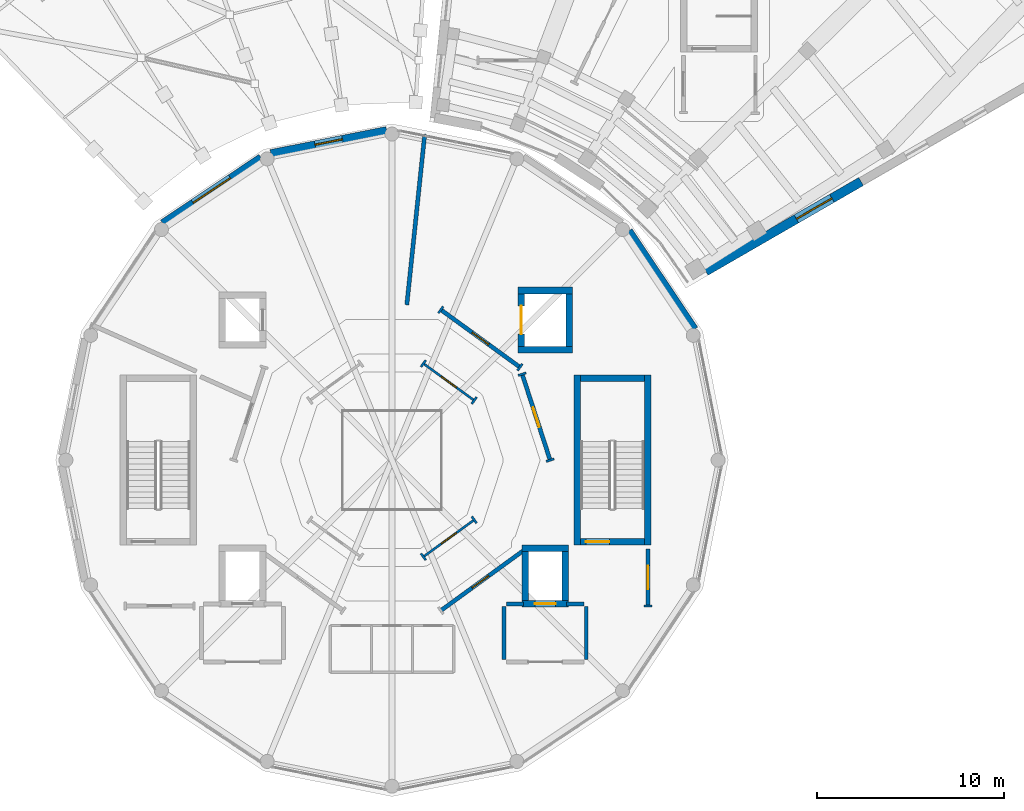
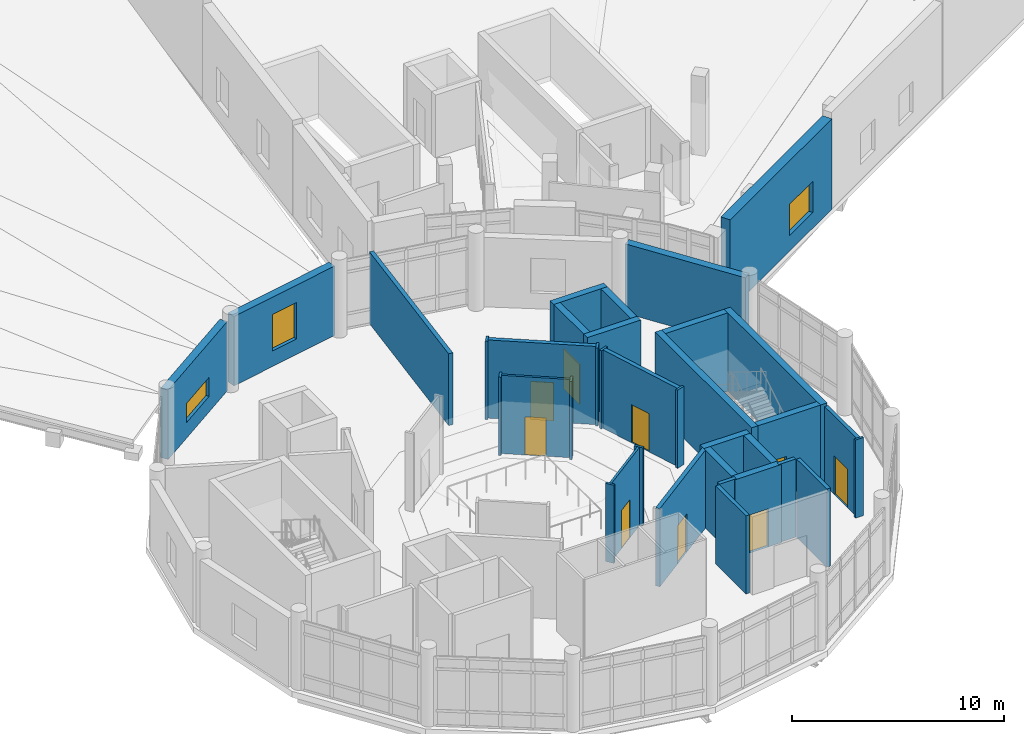
# One storey, part 22 of 27: 36 walls, 9 doors, 3 windows, 12 openings.
"""IFC4 building model written with IfcOpenShell, lengths in metres."""

from ifc_helpers import new_model, si_unit, direction, frame, frame_2d, origin, place, context, subcontext, project, spatial, rectangle, extrude, material, layer, layer_set, type_object, element, fill, save


model = new_model("IFC4")

# Units and contexts
model_context = context("Model", 3, precision=1e-05, world=origin(), true_north=direction((0.0, 1.0)))
body_context = subcontext(model_context, "Body", "Model", "MODEL_VIEW")
ifc_project = project(units=[si_unit("LENGTHUNIT", "METRE"), si_unit("AREAUNIT", "SQUARE_METRE"), si_unit("VOLUMEUNIT", "CUBIC_METRE"), si_unit("PLANEANGLEUNIT", "RADIAN"), si_unit("MASSUNIT", "GRAM", prefix="KILO")], contexts=[model_context])

# Site, building, storey
site_placement = place(None, origin())
site = spatial("IfcSite", under=ifc_project, at=site_placement, CompositionType="ELEMENT")
building_placement = place(site_placement, origin())
building = spatial("IfcBuilding", under=site, at=building_placement, Name="Soyqirgoq Riverine Aquarium", CompositionType="ELEMENT")
storey_placement = place(building_placement, frame((0.0, 0.0, 19.800048828125)))
storey = spatial("IfcBuildingStorey", under=building, at=storey_placement, Name="L05", CompositionType="ELEMENT", Elevation=19.800048828125)

# Walls
ifc_material_1 = material(Name="Concrete C40/50", Category="concrete")
ifc_layer_1 = layer(ifc_material_1, 0.35009765625)
ifc_layer_set_1 = layer_set([ifc_layer_1], Name="Concrete C40/50")
wall_type_1 = type_object("IfcWallType", Name="CoreShearWall_350_C40", PredefinedType="SHEAR", material=ifc_layer_set_1)
wall_1_placement = place(storey_placement, frame((69.675048828125, 52.449951171875, 0.0), z_axis=(0.0, 0.0, 1.0), x_axis=(0.0, 1.0, 0.0)))
element("IfcWall", 1, at=wall_1_placement, inside=storey, type_object=wall_type_1, Name="CORE-1 L05 Stair Core Shear Wall SIDE1", PredefinedType="SHEAR", context=body_context, shape_type="SweptSolid", body=[
    extrude(rectangle(XDim=9.10009765625, YDim=0.35009765625, at=frame_2d((4.550048828125, 0.0))), origin(), (0.0, 0.0, 1.0), 4.5),
])
wall_2_placement = place(storey_placement, frame((69.5, 61.375, 0.0), z_axis=(0.0, 0.0, 1.0), x_axis=(-1.0, 0.0, 0.0)))
element("IfcWall", 2, at=wall_2_placement, inside=storey, type_object=wall_type_1, Name="CORE-1 L05 Stair Core Shear Wall BACK", PredefinedType="SHEAR", context=body_context, shape_type="SweptSolid", body=[
    extrude(rectangle(XDim=3.39990234375, YDim=0.35009765625, at=frame_2d((1.699951171875, 0.0))), origin(), (0.0, 0.0, 1.0), 4.5),
])
wall_3_placement = place(storey_placement, frame((65.925048828125, 61.550048828125, 0.0), z_axis=(0.0, 0.0, 1.0), x_axis=(0.0, -1.0, 0.0)))
element("IfcWall", 3, at=wall_3_placement, inside=storey, type_object=wall_type_1, Name="CORE-1 L05 Stair Core Shear Wall SIDE2", PredefinedType="SHEAR", context=body_context, shape_type="SweptSolid", body=[
    extrude(rectangle(XDim=9.10009765625, YDim=0.35009765625, at=frame_2d((4.550048828125, 0.0))), origin(), (0.0, 0.0, 1.0), 4.5),
])

# Wall, opening, door
wall_4_placement = place(storey_placement, frame((66.10009765625, 52.625, 0.0), z_axis=(0.0, 0.0, 1.0), x_axis=(1.0, 0.0, 0.0)))
wall_4 = element("IfcWall", 4, at=wall_4_placement, inside=storey, type_object=wall_type_1, Name="CORE-1 L05 Stair Core Shear Wall FRONT", PredefinedType="SHEAR", context=body_context, shape_type="SweptSolid", body=[
    extrude(rectangle(XDim=3.39990234375, YDim=0.35009765625, at=frame_2d((1.699951171875, 0.0))), origin(), (0.0, 0.0, 1.0), 4.5),
])
opening_1_placement = place(wall_4_placement, frame((0.280029296875, 0.0, 0.0)))
opening_1 = element("IfcOpeningElement", 5, at=opening_1_placement, cuts=wall_4, Name="Opening FD-01", PredefinedType="OPENING", context=body_context, shape_type="SweptSolid", body=[
    extrude(rectangle(XDim=1.25, YDim=2.199951171875, at=frame_2d((0.625, 1.10009765625))), frame((0.0, 0.18505859375, 0.0), z_axis=(0.0, -1.0, 0.0), x_axis=(1.0, 0.0, 0.0)), (0.0, 0.0, 1.0), 0.3701171875),
])
ifc_material_2 = material(Name="Galvanised steel fire-resisting stair door", Category="steel")
door_type_1 = type_object("IfcDoorType", Name="StairFireDoor_1250x2200_EI90", OperationType="NOTDEFINED", PredefinedType="DOOR", material=ifc_material_2)
door_1_placement = place(opening_1_placement, origin())
door_1 = element("IfcDoor", 6, at=door_1_placement, inside=storey, type_object=door_type_1, Name="DR-ST-1-L05 ST-1 L05 Fire-Rated Stairwell Door", OperationType="SINGLE_SWING_RIGHT", OverallHeight=2.199951171875, OverallWidth=1.25, PredefinedType="DOOR", context=body_context, shape_type="SweptSolid", body=[
    extrude(rectangle(XDim=1.25, YDim=2.199951171875, at=frame_2d((0.625, 1.10009765625))), frame((0.0, 0.02490234375, 0.0), z_axis=(0.0, -1.0, 0.0), x_axis=(1.0, 0.0, 0.0)), (0.0, 0.0, 1.0), 0.050048828125),
])
fill(opening_1, door_1)

wall_5_placement = place(storey_placement, frame((62.945068359375, 49.320068359375, 0.0), z_axis=(0.0, 0.0, 1.0), x_axis=(1.0, 0.0, 0.0)))
wall_5 = element("IfcWall", 7, at=wall_5_placement, inside=storey, type_object=wall_type_1, Name="Lift FFL-1 Shaft Wall L05 1", PredefinedType="SHEAR", context=body_context, shape_type="SweptSolid", body=[
    extrude(rectangle(XDim=2.510009765625, YDim=0.35009765625, at=frame_2d((1.2548828125, 0.0))), origin(), (0.0, 0.0, 1.0), 4.5),
])
opening_2_placement = place(wall_5_placement, frame((0.705078125, 0.0, 0.0)))
opening_2 = element("IfcOpeningElement", 8, at=opening_2_placement, cuts=wall_5, Name="Opening LD-01", PredefinedType="OPENING", context=body_context, shape_type="SweptSolid", body=[
    extrude(rectangle(XDim=1.10009765625, YDim=2.199951171875, at=frame_2d((0.550048828125, 1.10009765625))), frame((0.0, 0.18505859375, 0.0), z_axis=(0.0, -1.0, 0.0), x_axis=(1.0, 0.0, 0.0)), (0.0, 0.0, 1.0), 0.3701171875),
])
ifc_material_3 = material(Name="Brushed stainless steel telescopic lift landing door", Category="steel")
door_type_2 = type_object("IfcDoorType", Name="LiftLandingDoor_1100x2200", OperationType="SLIDING_TO_LEFT", PredefinedType="DOOR", material=ifc_material_3)
door_2_placement = place(opening_2_placement, origin())
door_2 = element("IfcDoor", 9, at=door_2_placement, inside=storey, type_object=door_type_2, Name="LD-FFL-1-L05 Lift FFL-1 L05 Sliding Landing Door", OperationType="SLIDING_TO_LEFT", OverallHeight=2.199951171875, OverallWidth=1.10009765625, PredefinedType="DOOR", context=body_context, shape_type="SweptSolid", body=[
    extrude(rectangle(XDim=1.10009765625, YDim=2.199951171875, at=frame_2d((0.550048828125, 1.10009765625))), frame((0.0, 0.02490234375, 0.0), z_axis=(0.0, -1.0, 0.0), x_axis=(1.0, 0.0, 0.0)), (0.0, 0.0, 1.0), 0.050048828125),
])
fill(opening_2, door_2)

# Walls
wall_6_placement = place(storey_placement, frame((65.280029296875, 49.4951171875, 0.0), z_axis=(0.0, 0.0, 1.0), x_axis=(0.0, 1.0, 0.0)))
element("IfcWall", 10, at=wall_6_placement, inside=storey, type_object=wall_type_1, Name="Lift FFL-1 Shaft Wall L05 2", PredefinedType="SHEAR", context=body_context, shape_type="SweptSolid", body=[
    extrude(rectangle(XDim=2.60986328125, YDim=0.35009765625, at=frame_2d((1.304931640625, 0.0))), origin(), (0.0, 0.0, 1.0), 4.5),
])
wall_7_placement = place(storey_placement, frame((65.455078125, 52.280029296875, 0.0), z_axis=(0.0, 0.0, 1.0), x_axis=(-1.0, 0.0, 0.0)))
element("IfcWall", 11, at=wall_7_placement, inside=storey, type_object=wall_type_1, Name="Lift FFL-1 Shaft Wall L05 3", PredefinedType="SHEAR", context=body_context, shape_type="SweptSolid", body=[
    extrude(rectangle(XDim=2.510009765625, YDim=0.35009765625, at=frame_2d((1.2548828125, 0.0))), origin(), (0.0, 0.0, 1.0), 4.5),
])
wall_8_placement = place(storey_placement, frame((63.1201171875, 52.10498046875, 0.0), z_axis=(0.0, 0.0, 1.0), x_axis=(0.0, -1.0, 0.0)))
element("IfcWall", 12, at=wall_8_placement, inside=storey, type_object=wall_type_1, Name="Lift FFL-1 Shaft Wall L05 4", PredefinedType="SHEAR", context=body_context, shape_type="SweptSolid", body=[
    extrude(rectangle(XDim=2.60986328125, YDim=0.35009765625, at=frame_2d((1.304931640625, 0.0))), origin(), (0.0, 0.0, 1.0), 4.5),
])
wall_9_placement = place(storey_placement, frame((62.7451171875, 62.919921875, 0.0), z_axis=(0.0, 0.0, 1.0), x_axis=(1.0, 0.0, 0.0)))
element("IfcWall", 13, at=wall_9_placement, inside=storey, type_object=wall_type_1, Name="Lift GL-1 Shaft Wall L05 1", PredefinedType="SHEAR", context=body_context, shape_type="SweptSolid", body=[
    extrude(rectangle(XDim=2.909912109375, YDim=0.35009765625, at=frame_2d((1.455078125, 0.0))), origin(), (0.0, 0.0, 1.0), 4.5),
])
wall_10_placement = place(storey_placement, frame((65.47998046875, 63.094970703125, 0.0), z_axis=(0.0, 0.0, 1.0), x_axis=(0.0, 1.0, 0.0)))
element("IfcWall", 14, at=wall_10_placement, inside=storey, type_object=wall_type_1, Name="Lift GL-1 Shaft Wall L05 2", PredefinedType="SHEAR", context=body_context, shape_type="SweptSolid", body=[
    extrude(rectangle(XDim=2.81005859375, YDim=0.35009765625, at=frame_2d((1.405029296875, 0.0))), origin(), (0.0, 0.0, 1.0), 4.5),
])
wall_11_placement = place(storey_placement, frame((65.655029296875, 66.080078125, 0.0), z_axis=(0.0, 0.0, 1.0), x_axis=(-1.0, 0.0, 0.0)))
element("IfcWall", 15, at=wall_11_placement, inside=storey, type_object=wall_type_1, Name="Lift GL-1 Shaft Wall L05 3", PredefinedType="SHEAR", context=body_context, shape_type="SweptSolid", body=[
    extrude(rectangle(XDim=2.909912109375, YDim=0.35009765625, at=frame_2d((1.455078125, 0.0))), origin(), (0.0, 0.0, 1.0), 4.5),
])

# Wall, opening, door
wall_12_placement = place(storey_placement, frame((62.919921875, 65.905029296875, 0.0), z_axis=(0.0, 0.0, 1.0), x_axis=(0.0, -1.0, 0.0)))
wall_12 = element("IfcWall", 16, at=wall_12_placement, inside=storey, type_object=wall_type_1, Name="Lift GL-1 Shaft Wall L05 4", PredefinedType="SHEAR", context=body_context, shape_type="SweptSolid", body=[
    extrude(rectangle(XDim=2.81005859375, YDim=0.35009765625, at=frame_2d((1.405029296875, 0.0))), origin(), (0.0, 0.0, 1.0), 4.5),
])
opening_3_placement = place(wall_12_placement, frame((0.655029296875, 0.0, 0.0)))
opening_3 = element("IfcOpeningElement", 17, at=opening_3_placement, cuts=wall_12, Name="Opening LD-02", PredefinedType="OPENING", context=body_context, shape_type="SweptSolid", body=[
    extrude(rectangle(XDim=1.5, YDim=2.300048828125, at=frame_2d((0.75, 1.14990234375))), frame((0.0, 0.18505859375, 0.0), z_axis=(0.0, -1.0, 0.0), x_axis=(1.0, 0.0, 0.0)), (0.0, 0.0, 1.0), 0.3701171875),
])
ifc_material_4 = material(Name="Heavy-duty stainless steel bi-parting lift landing door", Category="steel")
door_type_3 = type_object("IfcDoorType", Name="GoodsLiftLandingDoor_1500x2300", OperationType="SLIDING_TO_LEFT", PredefinedType="DOOR", material=ifc_material_4)
door_3_placement = place(opening_3_placement, origin())
door_3 = element("IfcDoor", 18, at=door_3_placement, inside=storey, type_object=door_type_3, Name="LD-GL-1-L05 Lift GL-1 L05 Sliding Landing Door", OperationType="SLIDING_TO_LEFT", OverallHeight=2.300048828125, OverallWidth=1.5, PredefinedType="DOOR", context=body_context, shape_type="SweptSolid", body=[
    extrude(rectangle(XDim=1.5, YDim=2.300048828125, at=frame_2d((0.75, 1.14990234375))), frame((0.0, 0.02490234375, 0.0), z_axis=(0.0, -1.0, 0.0), x_axis=(1.0, 0.0, 0.0)), (0.0, 0.0, 1.0), 0.050048828125),
])
fill(opening_3, door_3)

ifc_material_5 = material(Name="Lightweight steel-stud gypsum partition", Category="steel")
ifc_layer_2 = layer(ifc_material_5, 0.1201171875)
ifc_layer_set_2 = layer_set([ifc_layer_2], Name="Lightweight steel-stud gypsum partition")
wall_type_2 = type_object("IfcWallType", Name="PartitionWall_120_Std", PredefinedType="PARTITIONING", material=ifc_layer_set_2)
wall_13_placement = place(storey_placement, frame((60.398681640625, 60.19580078125, 0.0), z_axis=(0.0, 0.0, 1.0), x_axis=(-0.809018758112, 0.587782824709, 0.0)))
wall_13 = element("IfcWall", 19, at=wall_13_placement, inside=storey, type_object=wall_type_2, Name="Ocean Tank Overhead Servicing Hall Partition Wall", PredefinedType="PARTITIONING", context=body_context, shape_type="SweptSolid", body=[
    extrude(rectangle(XDim=3.3603515625, YDim=0.1201171875, at=frame_2d((1.68017578125, 0.0))), origin(), (0.0, 0.0, 1.0), 4.5),
])
opening_4_placement = place(wall_13_placement, frame((1.18017578125, 0.0, 0.0)))
opening_4 = element("IfcOpeningElement", 20, at=opening_4_placement, cuts=wall_13, Name="Opening ID-03", PredefinedType="OPENING", context=body_context, shape_type="SweptSolid", body=[
    extrude(rectangle(XDim=1.0, YDim=2.199951171875, at=frame_2d((0.5, 1.10009765625))), frame((0.0, 0.070068359375, 0.0), z_axis=(0.0, -1.0, 0.0), x_axis=(1.0, 0.0, 0.0)), (0.0, 0.0, 1.0), 0.14013671875),
])
ifc_material_6 = material(Name="Solid-core ash veneer room door", Category="wood")
door_type_4 = type_object("IfcDoorType", Name="RoomDoor_1000x2200", OperationType="NOTDEFINED", PredefinedType="DOOR", material=ifc_material_6)
door_4_placement = place(opening_4_placement, origin())
door_4 = element("IfcDoor", 21, at=door_4_placement, inside=storey, type_object=door_type_4, Name="IDR-V1-L05-0058 Ocean Tank Overhead Servicing Hall Door", OperationType="SINGLE_SWING_RIGHT", OverallHeight=2.199951171875, OverallWidth=1.0, PredefinedType="DOOR", context=body_context, shape_type="SweptSolid", body=[
    extrude(rectangle(XDim=1.0, YDim=2.199951171875, at=frame_2d((0.5, 1.10009765625))), frame((0.0, 0.02490234375, 0.0), z_axis=(0.0, -1.0, 0.0), x_axis=(1.0, 0.0, 0.0)), (0.0, 0.0, 1.0), 0.050048828125),
])
fill(opening_4, door_4)

wall_14_placement = place(storey_placement, frame((57.68017578125, 51.8291015625, 0.0), z_axis=(0.0, 0.0, 1.0), x_axis=(0.809018758112, 0.587782824709, 0.0)))
wall_14 = element("IfcWall", 22, at=wall_14_placement, inside=storey, type_object=wall_type_2, Name="Ocean Tank Overhead Servicing Hall Partition Wall", PredefinedType="PARTITIONING", context=body_context, shape_type="SweptSolid", body=[
    extrude(rectangle(XDim=3.3603515625, YDim=0.1201171875, at=frame_2d((1.68017578125, 0.0))), origin(), (0.0, 0.0, 1.0), 4.5),
])
opening_5_placement = place(wall_14_placement, frame((1.18017578125, 0.0, 0.0)))
opening_5 = element("IfcOpeningElement", 23, at=opening_5_placement, cuts=wall_14, Name="Opening ID-03", PredefinedType="OPENING", context=body_context, shape_type="SweptSolid", body=[
    extrude(rectangle(XDim=1.0, YDim=2.199951171875, at=frame_2d((0.5, 1.10009765625))), frame((0.0, 0.070068359375, 0.0), z_axis=(0.0, -1.0, 0.0), x_axis=(1.0, 0.0, 0.0)), (0.0, 0.0, 1.0), 0.14013671875),
])
door_5_placement = place(opening_5_placement, origin())
door_5 = element("IfcDoor", 24, at=door_5_placement, inside=storey, type_object=door_type_4, Name="IDR-V1-L05-0061 Ocean Tank Overhead Servicing Hall Door", OperationType="SINGLE_SWING_LEFT", OverallHeight=2.199951171875, OverallWidth=1.0, PredefinedType="DOOR", context=body_context, shape_type="SweptSolid", body=[
    extrude(rectangle(XDim=1.0, YDim=2.199951171875, at=frame_2d((0.5, 1.10009765625))), frame((0.0, 0.02490234375, 0.0), z_axis=(0.0, -1.0, 0.0), x_axis=(1.0, 0.0, 0.0)), (0.0, 0.0, 1.0), 0.050048828125),
])
fill(opening_5, door_5)

# Walls
wall_15_placement = place(storey_placement, frame((69.919921875, 49.199951171875, 0.0), z_axis=(0.0, 0.0, 1.0), x_axis=(-1.0, 0.0, 0.0)))
element("IfcWall", 25, at=wall_15_placement, inside=storey, type_object=wall_type_2, Name="V1 L05 Jamb Return Pier", PredefinedType="PARTITIONING", context=body_context, shape_type="SweptSolid", body=[
    extrude(rectangle(XDim=0.43994140625, YDim=0.1201171875, at=frame_2d((0.219970703125, 0.0))), origin(), (0.0, 0.0, 1.0), 4.5),
])
wall_16_placement = place(storey_placement, frame((60.52783203125, 60.373779296875, 0.0), z_axis=(0.0, 0.0, 1.0), x_axis=(-0.587412867849, -0.809287416611, 0.0)))
element("IfcWall", 26, at=wall_16_placement, inside=storey, type_object=wall_type_2, Name="V1 L05 Jamb Return Pier", PredefinedType="PARTITIONING", context=body_context, shape_type="SweptSolid", body=[
    extrude(rectangle(XDim=0.440185546875, YDim=0.1201171875, at=frame_2d((0.22021484375, 0.0))), origin(), (0.0, 0.0, 1.0), 4.5),
])
for number, where, z_axis, x_axis, name in (
    (27, (57.809326171875, 62.348876953125, 0.0), (0.0, 0.0, 1.0), (-0.587676645097, -0.809095890984, 0.0), "V1 L05 Jamb Return Pier"),
    (28, (57.809326171875, 51.651123046875, 0.0), (0.0, 0.0, 1.0), (-0.587676645097, 0.809095890984, 0.0), "V1 L05 Jamb Return Pier"),
):
    element("IfcWall", number, at=place(storey_placement, frame(where, z_axis=z_axis, x_axis=x_axis)), inside=storey, type_object=wall_type_2, Name=name, PredefinedType="PARTITIONING", context=body_context, shape_type="SweptSolid", body=[
        extrude(rectangle(XDim=0.43994140625, YDim=0.1201171875, at=frame_2d((0.219970703125, 0.0))), origin(), (0.0, 0.0, 1.0), 4.5),
    ])
wall_17_placement = place(storey_placement, frame((60.52783203125, 53.626220703125, 0.0), z_axis=(0.0, 0.0, 1.0), x_axis=(-0.587412867849, 0.809287416611, 0.0)))
element("IfcWall", 29, at=wall_17_placement, inside=storey, type_object=wall_type_2, Name="V1 L05 Jamb Return Pier", PredefinedType="PARTITIONING", context=body_context, shape_type="SweptSolid", body=[
    extrude(rectangle(XDim=0.440185546875, YDim=0.1201171875, at=frame_2d((0.22021484375, 0.0))), origin(), (0.0, 0.0, 1.0), 4.5),
])
wall_18_placement = place(storey_placement, frame((58.48583984375, 64.870849609375, 0.0), z_axis=(0.0, 0.0, 1.0), x_axis=(0.587676645097, 0.809095890984, 0.0)))
element("IfcWall", 30, at=wall_18_placement, inside=storey, type_object=wall_type_2, Name="V1 L05 Jamb Return Pier", PredefinedType="PARTITIONING", context=body_context, shape_type="SweptSolid", body=[
    extrude(rectangle(XDim=0.43994140625, YDim=0.1201171875, at=frame_2d((0.219970703125, 0.0))), origin(), (0.0, 0.0, 1.0), 4.5),
])
wall_19_placement = place(storey_placement, frame((62.71728515625, 61.79638671875, 0.0), z_axis=(0.0, 0.0, 1.0), x_axis=(0.587775980022, 0.809023730993, 0.0)))
element("IfcWall", 31, at=wall_19_placement, inside=storey, type_object=wall_type_2, Name="V1 L05 Jamb Return Pier", PredefinedType="PARTITIONING", context=body_context, shape_type="SweptSolid", body=[
    extrude(rectangle(XDim=0.440185546875, YDim=0.1201171875, at=frame_2d((0.22021484375, 0.0))), origin(), (0.0, 0.0, 1.0), 4.5),
])
wall_20_placement = place(storey_placement, frame((62.75830078125, 61.53515625, 0.0), z_axis=(0.0, 0.0, 1.0), x_axis=(0.950989181438, 0.309224152984, 0.0)))
element("IfcWall", 32, at=wall_20_placement, inside=storey, type_object=wall_type_2, Name="V1 L05 Jamb Return Pier", PredefinedType="PARTITIONING", context=body_context, shape_type="SweptSolid", body=[
    extrude(rectangle(XDim=0.439697265625, YDim=0.1201171875, at=frame_2d((0.2197265625, 0.0))), origin(), (0.0, 0.0, 1.0), 4.5),
])
wall_21_placement = place(storey_placement, frame((64.25390625, 56.931884765625, 0.0), z_axis=(0.0, 0.0, 1.0), x_axis=(0.950879027099, 0.309562717107, 0.0)))
element("IfcWall", 33, at=wall_21_placement, inside=storey, type_object=wall_type_2, Name="V1 L05 Jamb Return Pier", PredefinedType="PARTITIONING", context=body_context, shape_type="SweptSolid", body=[
    extrude(rectangle(XDim=0.440185546875, YDim=0.1201171875, at=frame_2d((0.22021484375, 0.0))), origin(), (0.0, 0.0, 1.0), 4.5),
])
ifc_material_7 = material(Name="Fire-rated calcium silicate twin-stud partition", Category="gypsum")
ifc_layer_3 = layer(ifc_material_7, 0.199951171875)
ifc_layer_set_3 = layer_set([ifc_layer_3], Name="Fire-rated calcium silicate twin-stud partition")
wall_type_3 = type_object("IfcWallType", Name="PartitionWall_200_EI90", PredefinedType="PARTITIONING", material=ifc_layer_set_3)
for number, where, z_axis, x_axis, name in (
    (34, (62.0, 46.320068359375, 0.0), (0.0, 0.0, 1.0), (0.0, 1.0, 0.0), "CORE-1 L05 Firefighting Lobby W Wall"),
    (35, (66.39990234375, 46.320068359375, 0.0), (0.0, 0.0, 1.0), (0.0, 1.0, 0.0), "CORE-1 L05 Firefighting Lobby E Wall"),
):
    element("IfcWall", number, at=place(storey_placement, frame(where, z_axis=z_axis, x_axis=x_axis)), inside=storey, type_object=wall_type_3, Name=name, PredefinedType="PARTITIONING", context=body_context, shape_type="SweptSolid", body=[
        extrude(rectangle(XDim=2.85986328125, YDim=0.199951171875, at=frame_2d((1.429931640625, 0.0))), origin(), (0.0, 0.0, 1.0), 4.5),
    ])
for number, where, z_axis, x_axis, name in (
    (36, (62.1201171875, 49.300048828125, 0.0), (0.0, 0.0, 1.0), (1.0, 0.0, 0.0), "CORE-1 L05 Firefighting Lobby NL Wall"),
    (37, (65.35009765625, 49.300048828125, 0.0), (0.0, 0.0, 1.0), (1.0, 0.0, 0.0), "CORE-1 L05 Firefighting Lobby NR Wall"),
):
    element("IfcWall", number, at=place(storey_placement, frame(where, z_axis=z_axis, x_axis=x_axis)), inside=storey, type_object=wall_type_3, Name=name, PredefinedType="PARTITIONING", context=body_context, shape_type="SweptSolid", body=[
        extrude(rectangle(XDim=0.929931640625, YDim=0.199951171875, at=frame_2d((0.46484375, 0.0))), origin(), (0.0, 0.0, 1.0), 4.5),
    ])

# Wall, opening, door
wall_22_placement = place(storey_placement, frame((69.699951171875, 49.199951171875, 0.0), z_axis=(0.0, 0.0, 1.0), x_axis=(0.0, 1.0, 0.0)))
wall_22 = element("IfcWall", 38, at=wall_22_placement, inside=storey, type_object=wall_type_3, Name="Stair Vestibule ST-1 Fire Enclosure Wall", PredefinedType="PARTITIONING", context=body_context, shape_type="SweptSolid", body=[
    extrude(rectangle(XDim=3.050048828125, YDim=0.199951171875, at=frame_2d((1.52490234375, 0.0))), origin(), (0.0, 0.0, 1.0), 4.5),
])
opening_6_placement = place(wall_22_placement, frame((0.89990234375, 0.0, 0.0)))
opening_6 = element("IfcOpeningElement", 39, at=opening_6_placement, cuts=wall_22, Name="Opening FD-01", PredefinedType="OPENING", context=body_context, shape_type="SweptSolid", body=[
    extrude(rectangle(XDim=1.25, YDim=2.199951171875, at=frame_2d((0.625, 1.10009765625))), frame((0.0, 0.10986328125, 0.0), z_axis=(0.0, -1.0, 0.0), x_axis=(1.0, 0.0, 0.0)), (0.0, 0.0, 1.0), 0.219970703125),
])
door_6_placement = place(opening_6_placement, origin())
door_6 = element("IfcDoor", 40, at=door_6_placement, inside=storey, type_object=door_type_1, Name="IDR-V1-L05-0056 Stair Vestibule ST-1 Egress Fire Door", OperationType="SINGLE_SWING_LEFT", OverallHeight=2.199951171875, OverallWidth=1.25, PredefinedType="DOOR", context=body_context, shape_type="SweptSolid", body=[
    extrude(rectangle(XDim=1.25, YDim=2.199951171875, at=frame_2d((0.625, 1.10009765625))), frame((0.0, 0.02490234375, 0.0), z_axis=(0.0, -1.0, 0.0), x_axis=(1.0, 0.0, 0.0)), (0.0, 0.0, 1.0), 0.050048828125),
])
fill(opening_6, door_6)

ifc_material_8 = material(Name="Fire-rated masonry shaft wall", Category="masonry")
ifc_layer_4 = layer(ifc_material_8, 0.219970703125)
ifc_layer_set_4 = layer_set([ifc_layer_4], Name="Fire-rated masonry shaft wall")
wall_type_4 = type_object("IfcWallType", Name="RiserShaftWall_220_EI120", PredefinedType="SOLIDWALL", material=ifc_layer_set_4)
wall_23_placement = place(storey_placement, frame((63.099853515625, 52.20947265625, 0.0), z_axis=(0.0, 0.0, 1.0), x_axis=(-0.809014055944, -0.587789296675, 0.0)))
wall_23 = element("IfcWall", 41, at=wall_23_placement, inside=storey, type_object=wall_type_4, Name="Quarantine Acclimation Laboratory Partition Wall", PredefinedType="SOLIDWALL", context=body_context, shape_type="SweptSolid", body=[
    extrude(rectangle(XDim=5.543212890625, YDim=0.219970703125, at=frame_2d((2.771484375, 0.0))), origin(), (0.0, 0.0, 1.0), 4.5),
])
opening_7_placement = place(wall_23_placement, frame((2.378173828125, 0.0, 0.0)))
opening_7 = element("IfcOpeningElement", 42, at=opening_7_placement, cuts=wall_23, Name="Opening ID-04", PredefinedType="OPENING", context=body_context, shape_type="SweptSolid", body=[
    extrude(rectangle(XDim=1.10009765625, YDim=2.199951171875, at=frame_2d((0.550048828125, 1.10009765625))), frame((0.0, 0.1201171875, 0.0), z_axis=(0.0, -1.0, 0.0), x_axis=(1.0, 0.0, 0.0)), (0.0, 0.0, 1.0), 0.239990234375),
])
ifc_material_9 = material(Name="Chemical-resistant HPL fire-rated laboratory door", Category="wood")
door_type_5 = type_object("IfcDoorType", Name="LabDoor_1100x2200_EI60", OperationType="NOTDEFINED", PredefinedType="DOOR", material=ifc_material_9)
door_7_placement = place(opening_7_placement, origin())
door_7 = element("IfcDoor", 43, at=door_7_placement, inside=storey, type_object=door_type_5, Name="IDR-V1-L05-0063 Ocean Drum Circulation Corridor Door", OperationType="SINGLE_SWING_LEFT", OverallHeight=2.199951171875, OverallWidth=1.10009765625, PredefinedType="DOOR", context=body_context, shape_type="SweptSolid", body=[
    extrude(rectangle(XDim=1.10009765625, YDim=2.199951171875, at=frame_2d((0.550048828125, 1.10009765625))), frame((0.0, 0.02490234375, 0.0), z_axis=(0.0, -1.0, 0.0), x_axis=(1.0, 0.0, 0.0)), (0.0, 0.0, 1.0), 0.050048828125),
])
fill(opening_7, door_7)

wall_24_placement = place(storey_placement, frame((58.615234375, 65.048828125, 0.0), z_axis=(0.0, 0.0, 1.0), x_axis=(0.809026651994, -0.587771959491, 0.0)))
wall_24 = element("IfcWall", 44, at=wall_24_placement, inside=storey, type_object=wall_type_4, Name="Quarantine Acclimation Laboratory Partition Wall", PredefinedType="SOLIDWALL", context=body_context, shape_type="SweptSolid", body=[
    extrude(rectangle(XDim=5.230224609375, YDim=0.219970703125, at=frame_2d((2.615234375, 0.0))), origin(), (0.0, 0.0, 1.0), 4.5),
])
opening_8_placement = place(wall_24_placement, frame((2.065185546875, 0.0, 0.0)))
opening_8 = element("IfcOpeningElement", 45, at=opening_8_placement, cuts=wall_24, Name="Opening ID-04", PredefinedType="OPENING", context=body_context, shape_type="SweptSolid", body=[
    extrude(rectangle(XDim=1.10009765625, YDim=2.199951171875, at=frame_2d((0.550048828125, 1.10009765625))), frame((0.0, 0.1201171875, 0.0), z_axis=(0.0, -1.0, 0.0), x_axis=(1.0, 0.0, 0.0)), (0.0, 0.0, 1.0), 0.239990234375),
])
door_8_placement = place(opening_8_placement, origin())
door_8 = element("IfcDoor", 46, at=door_8_placement, inside=storey, type_object=door_type_5, Name="IDR-V1-L05-0064 Ocean Drum Circulation Corridor Door", OperationType="SINGLE_SWING_RIGHT", OverallHeight=2.199951171875, OverallWidth=1.10009765625, PredefinedType="DOOR", context=body_context, shape_type="SweptSolid", body=[
    extrude(rectangle(XDim=1.10009765625, YDim=2.199951171875, at=frame_2d((0.550048828125, 1.10009765625))), frame((0.0, 0.02490234375, 0.0), z_axis=(0.0, -1.0, 0.0), x_axis=(1.0, 0.0, 0.0)), (0.0, 0.0, 1.0), 0.050048828125),
])
fill(opening_8, door_8)

wall_25_placement = place(storey_placement, frame((62.96728515625, 61.60302734375, 0.0), z_axis=(0.0, 0.0, 1.0), x_axis=(0.309060979314, -0.951042223598, 0.0)))
wall_25 = element("IfcWall", 47, at=wall_25_placement, inside=storey, type_object=wall_type_4, Name="Quarantine Acclimation Laboratory Partition Wall", PredefinedType="SOLIDWALL", context=body_context, shape_type="SweptSolid", body=[
    extrude(rectangle(XDim=4.840087890625, YDim=0.219970703125, at=frame_2d((2.419921875, 0.0))), origin(), (0.0, 0.0, 1.0), 4.5),
])
opening_9_placement = place(wall_25_placement, frame((1.8701171875, 0.0, 0.0)))
opening_9 = element("IfcOpeningElement", 48, at=opening_9_placement, cuts=wall_25, Name="Opening ID-04", PredefinedType="OPENING", context=body_context, shape_type="SweptSolid", body=[
    extrude(rectangle(XDim=1.10009765625, YDim=2.199951171875, at=frame_2d((0.550048828125, 1.10009765625))), frame((0.0, 0.1201171875, 0.0), z_axis=(0.0, -1.0, 0.0), x_axis=(1.0, 0.0, 0.0)), (0.0, 0.0, 1.0), 0.239990234375),
])
door_9_placement = place(opening_9_placement, origin())
door_9 = element("IfcDoor", 49, at=door_9_placement, inside=storey, type_object=door_type_5, Name="IDR-V1-L05-0066 Ocean Drum Circulation Corridor Door", OperationType="SINGLE_SWING_RIGHT", OverallHeight=2.199951171875, OverallWidth=1.10009765625, PredefinedType="DOOR", context=body_context, shape_type="SweptSolid", body=[
    extrude(rectangle(XDim=1.10009765625, YDim=2.199951171875, at=frame_2d((0.550048828125, 1.10009765625))), frame((0.0, 0.02490234375, 0.0), z_axis=(0.0, -1.0, 0.0), x_axis=(1.0, 0.0, 0.0)), (0.0, 0.0, 1.0), 0.050048828125),
])
fill(opening_9, door_9)

# Wall
wall_26_placement = place(storey_placement, frame((56.793212890625, 65.312744140625, 0.0), z_axis=(0.0, 0.0, 1.0), x_axis=(0.104542266688, 0.994520444474, 0.0)))
element("IfcWall", 50, at=wall_26_placement, inside=storey, type_object=wall_type_4, Name="Quarantine Acclimation Laboratory Partition Wall", PredefinedType="SOLIDWALL", context=body_context, shape_type="SweptSolid", body=[
    extrude(rectangle(XDim=9.184814453125, YDim=0.219970703125, at=frame_2d((4.59228515625, 0.0))), origin(), (0.0, 0.0, 1.0), 4.1298828125),
])

# Wall, opening, window
ifc_material_10 = material(Name="Honed travertine limestone cavity wall", Category="masonry")
ifc_layer_5 = layer(ifc_material_10, 0.5)
ifc_layer_set_5 = layer_set([ifc_layer_5], Name="Honed travertine limestone cavity wall")
wall_type_5 = type_object("IfcWallType", Name="TravertineCavityWall_500", PredefinedType="SOLIDWALL", material=ifc_layer_set_5)
wall_27_placement = place(storey_placement, frame((81.103515625, 71.9091796875, 0.0), z_axis=(0.0, 0.0, 1.0), x_axis=(-0.866029302518, -0.499993247135, 0.0)))
wall_27 = element("IfcWall", 51, at=wall_27_placement, inside=storey, type_object=wall_type_5, Name="V5 L05 Exterior Travertine Wall 0341", PredefinedType="SOLIDWALL", context=body_context, shape_type="SweptSolid", body=[
    extrude(rectangle(XDim=9.599365234375, YDim=0.5, at=frame_2d((4.7998046875, 0.0))), origin(), (0.0, 0.0, 1.0), 5.204345703125),
])
opening_10_placement = place(wall_27_placement, frame((1.799560546875, 0.0, 0.89990234375)))
opening_10 = element("IfcOpeningElement", 52, at=opening_10_placement, cuts=wall_27, Name="Opening WN-09", PredefinedType="OPENING", context=body_context, shape_type="SweptSolid", body=[
    extrude(rectangle(XDim=2.199951171875, YDim=1.800048828125, at=frame_2d((1.10009765625, 0.89990234375))), frame((0.0, 0.260009765625, 0.0), z_axis=(0.0, -1.0, 0.0), x_axis=(1.0, 0.0, 0.0)), (0.0, 0.0, 1.0), 0.52001953125),
])
ifc_material_11 = material(Name="Thermally broken aluminium triple low-E window", Category="aluminium")
window_type_1 = type_object("IfcWindowType", Name="Win_Office_2200x1800", PartitioningType="TRIPLE_PANEL_VERTICAL", PredefinedType="WINDOW", material=ifc_material_11)
window_1_placement = place(opening_10_placement, origin())
window_1 = element("IfcWindow", 53, at=window_1_placement, inside=storey, type_object=window_type_1, Name="V5 L05 Facade Window 0274", OverallHeight=1.800048828125, OverallWidth=2.199951171875, PartitioningType="TRIPLE_PANEL_VERTICAL", PredefinedType="WINDOW", context=body_context, shape_type="SweptSolid", body=[
    extrude(rectangle(XDim=2.199951171875, YDim=1.800048828125, at=frame_2d((1.10009765625, 0.89990234375))), frame((0.0, 0.030029296875, 0.0), z_axis=(0.0, -1.0, 0.0), x_axis=(1.0, 0.0, 0.0)), (0.0, 0.0, 1.0), 0.06005859375),
])
fill(opening_10, window_1)

# Wall
ifc_material_12 = material(Name="Honed travertine limestone cavity wall", Category="masonry")
ifc_layer_6 = layer(ifc_material_12, 0.39990234375)
ifc_layer_set_6 = layer_set([ifc_layer_6], Name="Honed travertine limestone cavity wall")
wall_type_6 = type_object("IfcWallType", Name="TravertineSpandrelWall_400", PredefinedType="SOLIDWALL", material=ifc_layer_set_6)
wall_28_placement = place(storey_placement, frame((68.677490234375, 69.273681640625, 0.0), z_axis=(0.0, 0.0, 1.0), x_axis=(0.555581887859, -0.83146182467, 0.0)))
element("IfcWall", 54, at=wall_28_placement, inside=storey, type_object=wall_type_6, Name="V1 L05 Exterior Travertine Wall 0006", PredefinedType="SOLIDWALL", context=body_context, shape_type="SweptSolid", body=[
    extrude(rectangle(XDim=6.323974609375, YDim=0.39990234375, at=frame_2d((3.162109375, 0.0))), origin(), (0.0, 0.0, 1.0), 3.989990234375),
])

# Wall, opening, window
wall_29_placement = place(storey_placement, frame((43.726318359375, 69.677490234375, 0.0), z_axis=(0.0, 0.0, 1.0), x_axis=(0.83146182467, 0.555581887859, 0.0)))
wall_29 = element("IfcWall", 55, at=wall_29_placement, inside=storey, type_object=wall_type_6, Name="V1 L05 Exterior Travertine Wall 0025", PredefinedType="SOLIDWALL", context=body_context, shape_type="SweptSolid", body=[
    extrude(rectangle(XDim=6.323974609375, YDim=0.39990234375, at=frame_2d((3.162109375, 0.0))), origin(), (0.0, 0.0, 1.0), 3.989990234375),
])
opening_11_placement = place(wall_29_placement, frame((1.9619140625, 0.0, 0.89990234375)))
opening_11 = element("IfcOpeningElement", 56, at=opening_11_placement, cuts=wall_29, Name="Opening WN-10", PredefinedType="OPENING", context=body_context, shape_type="SweptSolid", body=[
    extrude(rectangle(XDim=2.39990234375, YDim=1.10009765625, at=frame_2d((1.199951171875, 0.550048828125))), frame((0.0, 0.2099609375, 0.0), z_axis=(0.0, -1.0, 0.0), x_axis=(1.0, 0.0, 0.0)), (0.0, 0.0, 1.0), 0.419921875),
])
ifc_material_13 = material(Name="Thermally broken aluminium triple low-E window", Category="aluminium")
window_type_2 = type_object("IfcWindowType", Name="Win_Clerestory_2400x1100", PartitioningType="DOUBLE_PANEL_HORIZONTAL", PredefinedType="LIGHTDOME", material=ifc_material_13)
window_2_placement = place(opening_11_placement, origin())
window_2 = element("IfcWindow", 57, at=window_2_placement, inside=storey, type_object=window_type_2, Name="V1 L05 Facade Window 0014", OverallHeight=1.10009765625, OverallWidth=2.39990234375, PartitioningType="DOUBLE_PANEL_HORIZONTAL", PredefinedType="LIGHTDOME", context=body_context, shape_type="SweptSolid", body=[
    extrude(rectangle(XDim=2.39990234375, YDim=1.10009765625, at=frame_2d((1.199951171875, 0.550048828125))), frame((0.0, 0.030029296875, 0.0), z_axis=(0.0, -1.0, 0.0), x_axis=(1.0, 0.0, 0.0)), (0.0, 0.0, 1.0), 0.06005859375),
])
fill(opening_11, window_2)

ifc_material_14 = material(Name="Honed travertine limestone cavity wall", Category="masonry")
ifc_layer_7 = layer(ifc_material_14, 0.419921875)
ifc_layer_set_7 = layer_set([ifc_layer_7], Name="Honed travertine limestone cavity wall")
wall_type_7 = type_object("IfcWallType", Name="TravertineSpandrelWall_420", PredefinedType="SOLIDWALL", material=ifc_layer_set_7)
wall_30_placement = place(storey_placement, frame((49.51220703125, 73.409423828125, 0.0), z_axis=(0.0, 0.0, 1.0), x_axis=(0.980779146939, 0.195121154489, 0.0)))
wall_30 = element("IfcWall", 58, at=wall_30_placement, inside=storey, type_object=wall_type_7, Name="V1 L05 Exterior Travertine Wall 0019", PredefinedType="SOLIDWALL", context=body_context, shape_type="SweptSolid", body=[
    extrude(rectangle(XDim=6.32373046875, YDim=0.419921875, at=frame_2d((3.161865234375, 0.0))), origin(), (0.0, 0.0, 1.0), 3.989990234375),
])
opening_12_placement = place(wall_30_placement, frame((2.411865234375, 0.0, 0.89990234375)))
opening_12 = element("IfcOpeningElement", 59, at=opening_12_placement, cuts=wall_30, Name="Opening WN-04", PredefinedType="OPENING", context=body_context, shape_type="SweptSolid", body=[
    extrude(rectangle(XDim=1.5, YDim=2.10009765625, at=frame_2d((0.75, 1.050048828125))), frame((0.0, 0.219970703125, 0.0), z_axis=(0.0, -1.0, 0.0), x_axis=(1.0, 0.0, 0.0)), (0.0, 0.0, 1.0), 0.43994140625),
])
ifc_material_15 = material(Name="Thermally broken aluminium triple low-E window", Category="aluminium")
window_type_3 = type_object("IfcWindowType", Name="Win_Gallery_1500x2100", PartitioningType="DOUBLE_PANEL_VERTICAL", PredefinedType="WINDOW", material=ifc_material_15)
window_3_placement = place(opening_12_placement, origin())
window_3 = element("IfcWindow", 60, at=window_3_placement, inside=storey, type_object=window_type_3, Name="V1 L05 Facade Window 0010", OverallHeight=2.10009765625, OverallWidth=1.5, PartitioningType="DOUBLE_PANEL_VERTICAL", PredefinedType="WINDOW", context=body_context, shape_type="SweptSolid", body=[
    extrude(rectangle(XDim=1.5, YDim=2.10009765625, at=frame_2d((0.75, 1.050048828125))), frame((0.0, 0.030029296875, 0.0), z_axis=(0.0, -1.0, 0.0), x_axis=(1.0, 0.0, 0.0)), (0.0, 0.0, 1.0), 0.06005859375),
])
fill(opening_12, window_3)

save(model, "model.ifc")
